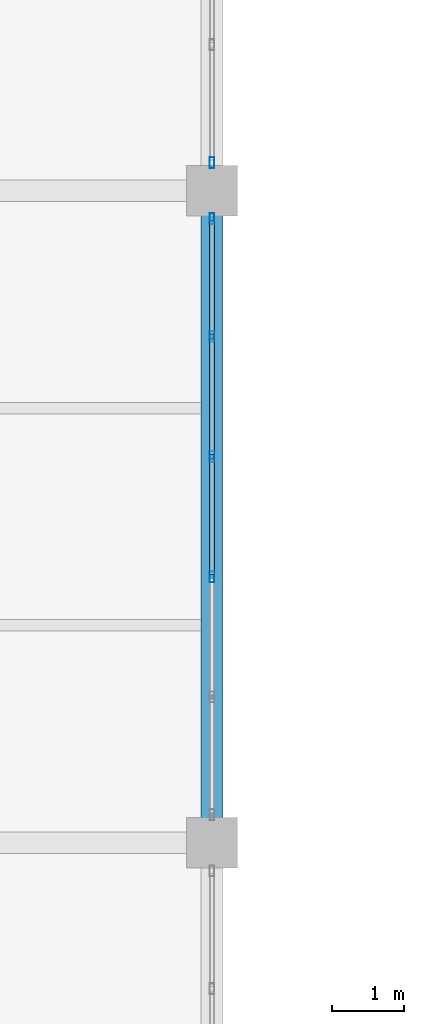
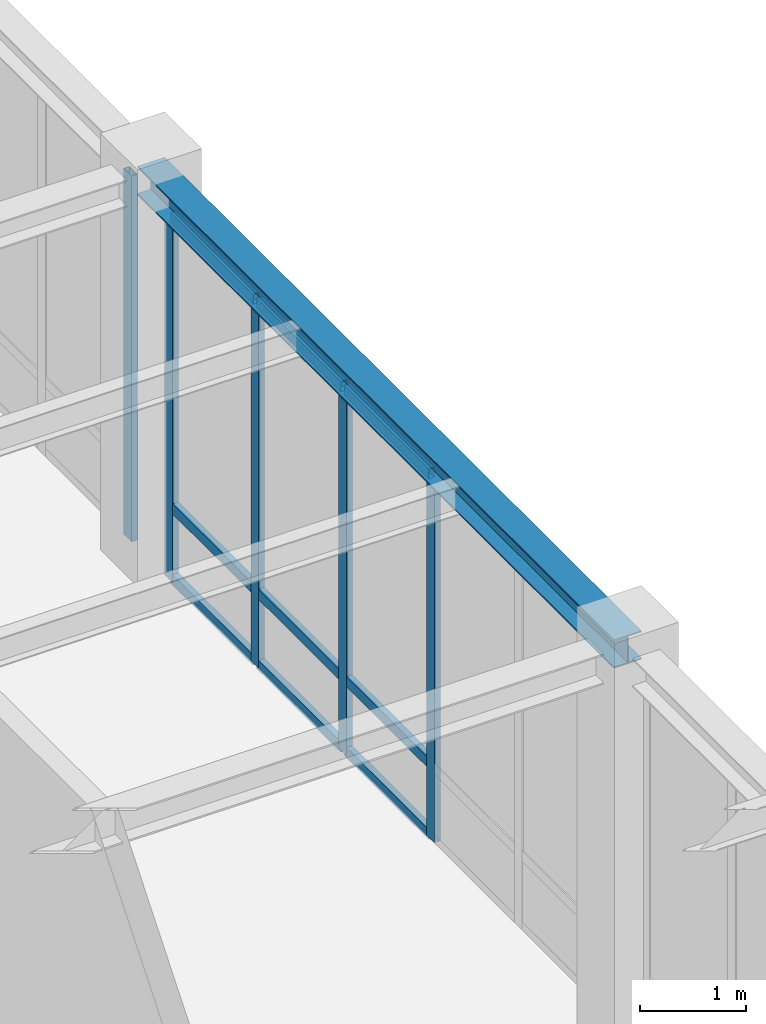
# One storey, part 38 of 98: 14 members, 1 beam, 2 elements without a shape of their own.
"""IFC4 building model written with IfcOpenShell, lengths in metres."""

from ifc_helpers import new_model, si_unit, direction, frame, origin, origin_2d, place, context, subcontext, project, spatial, hollow_rectangle, i_section, extrude, material, material_profile, profile_set, type_object, element, aggregate, save


model = new_model("IFC4")

# Units and contexts
model_context = context("Model", 3, precision=1e-05, world=origin(), true_north=direction((0.0, 1.0)))
body_context = subcontext(model_context, "Body", "Model", "MODEL_VIEW")
ifc_project = project(units=[si_unit("LENGTHUNIT", "METRE"), si_unit("AREAUNIT", "SQUARE_METRE"), si_unit("VOLUMEUNIT", "CUBIC_METRE"), si_unit("PLANEANGLEUNIT", "RADIAN"), si_unit("MASSUNIT", "GRAM", prefix="KILO")], contexts=[model_context])

# Site, building, storey
site_placement = place(None, origin())
site = spatial("IfcSite", under=ifc_project, at=site_placement, CompositionType="ELEMENT")
building_placement = place(site_placement, origin())
building = spatial("IfcBuilding", under=site, at=building_placement, Name="Lykobir Media Centre", CompositionType="ELEMENT")
storey_placement = place(building_placement, frame((0.0, 0.0, 10.199951171875)))
storey = spatial("IfcBuildingStorey", under=building, at=storey_placement, Name="L02", CompositionType="ELEMENT", Elevation=10.199951171875)

# Beam
ifc_material_1 = material(Name="Steel S355", Category="steel")
ifc_material_profile_1 = material_profile(ifc_material_1, i_section(OverallWidth=0.300048828125, OverallDepth=0.330078125, WebThickness=0.009521484375, FlangeThickness=0.0166015625, at=origin_2d()), Name="HEA 340")
ifc_profile_set_1 = profile_set([ifc_material_profile_1], Name="Steel S355")
beam_type = type_object("IfcBeamType", Name="BM-HEA340", PredefinedType="BEAM", material=ifc_profile_set_1)
beam_placement = place(storey_placement, frame((99.0, 54.0, 4.39501953125), z_axis=(0.0, 1.0, 0.0), x_axis=(-1.0, 0.0, 0.0)))
element("IfcBeam", 1, at=beam_placement, inside=storey, type_object=beam_type, Name="Beam BM-L02-0990-0540-0990-0630-1460", PredefinedType="BEAM", context=body_context, shape_type="SweptSolid", body=[
    extrude(i_section(OverallWidth=0.300048828125, OverallDepth=0.330078125, WebThickness=0.009521484375, FlangeThickness=0.0166015625, at=origin_2d()), origin(), (0.0, 0.0, 1.0), 9.0),
])

# Curtain wall, members
ifc_material_2 = material(Name="Anodized Aluminium AW-6060", Category="aluminium")
curtain_wall_type = type_object("IfcCurtainWallType", Name="CW-COURT-A", PredefinedType="NOTDEFINED", material=ifc_material_2)
curtain_wall_1_placement = place(storey_placement, origin())
curtain_wall_1 = element("IfcCurtainWall", 2, at=curtain_wall_1_placement, inside=storey, type_object=curtain_wall_type, Name="Curtain wall CW2-L02-0106", PredefinedType="NOTDEFINED")
ifc_material_profile_2 = material_profile(ifc_material_2, hollow_rectangle(XDim=0.06494140625, YDim=0.14990234375, WallThickness=0.00341796875, at=origin_2d()), Name="ALU MULLION 65x150")
ifc_profile_set_2 = profile_set([ifc_material_profile_2], Name="Anodized Aluminium AW-6060")
member_type_1 = type_object("IfcMemberType", Name="CWM-150", PredefinedType="MULLION", material=ifc_profile_set_2)
member_1_placement = place(storey_placement, frame((99.0, 62.612548828125, 0.0), z_axis=(0.0, 0.0, 1.0), x_axis=(1.0, 0.0, 0.0)))
member_1 = element("IfcMember", 3, at=member_1_placement, type_object=member_type_1, Name="CW2-L02-0106 mullion 1", PredefinedType="MULLION", context=body_context, shape_type="SweptSolid", body=[
    extrude(hollow_rectangle(XDim=0.06494140625, YDim=0.14990234375, WallThickness=0.00341796875, at=origin_2d()), origin(), (0.0, 0.0, 1.0), 4.215087890625),
])
member_2_placement = place(storey_placement, frame((99.0, 60.987060546875, 0.0), z_axis=(0.0, 0.0, 1.0), x_axis=(1.0, 0.0, 0.0)))
member_2 = element("IfcMember", 4, at=member_2_placement, type_object=member_type_1, Name="CW2-L02-0106 mullion 2", PredefinedType="MULLION", context=body_context, shape_type="SweptSolid", body=[
    extrude(hollow_rectangle(XDim=0.06494140625, YDim=0.14990234375, WallThickness=0.00341796875, at=origin_2d()), origin(), (0.0, 0.0, 1.0), 4.215087890625),
])
member_3_placement = place(storey_placement, frame((99.0, 59.3291015625, 0.0), z_axis=(0.0, 0.0, 1.0), x_axis=(1.0, 0.0, 0.0)))
member_3 = element("IfcMember", 5, at=member_3_placement, type_object=member_type_1, Name="CW2-L02-0106 mullion 3", PredefinedType="MULLION", context=body_context, shape_type="SweptSolid", body=[
    extrude(hollow_rectangle(XDim=0.06494140625, YDim=0.14990234375, WallThickness=0.00341796875, at=origin_2d()), origin(), (0.0, 0.0, 1.0), 4.215087890625),
])
member_4_placement = place(storey_placement, frame((99.0, 57.6708984375, 0.0), z_axis=(0.0, 0.0, 1.0), x_axis=(1.0, 0.0, 0.0)))
member_4 = element("IfcMember", 6, at=member_4_placement, type_object=member_type_1, Name="CW2-L02-0106 mullion 4", PredefinedType="MULLION", context=body_context, shape_type="SweptSolid", body=[
    extrude(hollow_rectangle(XDim=0.06494140625, YDim=0.14990234375, WallThickness=0.00341796875, at=origin_2d()), origin(), (0.0, 0.0, 1.0), 4.215087890625),
])

# Curtain wall, member
curtain_wall_2_placement = place(storey_placement, origin())
curtain_wall_2 = element("IfcCurtainWall", 7, at=curtain_wall_2_placement, inside=storey, type_object=curtain_wall_type, Name="Curtain wall CW2-L02-0107", PredefinedType="NOTDEFINED")
member_5_placement = place(storey_placement, frame((99.0, 63.387451171875, 0.0), z_axis=(0.0, 0.0, 1.0), x_axis=(1.0, 0.0, 0.0)))
member_5 = element("IfcMember", 8, at=member_5_placement, type_object=member_type_1, Name="CW2-L02-0107 mullion 6", PredefinedType="MULLION", context=body_context, shape_type="SweptSolid", body=[
    extrude(hollow_rectangle(XDim=0.06494140625, YDim=0.14990234375, WallThickness=0.00341796875, at=origin_2d()), origin(), (0.0, 0.0, 1.0), 4.215087890625),
])
aggregate(curtain_wall_2, [member_5])

# Member
ifc_material_profile_3 = material_profile(ifc_material_2, hollow_rectangle(XDim=0.06494140625, YDim=0.1201171875, WallThickness=0.0029296875, at=origin_2d()), Name="ALU TRANSOM 65x120")
ifc_profile_set_3 = profile_set([ifc_material_profile_3], Name="Anodized Aluminium AW-6060")
member_type_2 = type_object("IfcMemberType", Name="CWT-120", PredefinedType="USERDEFINED", material=ifc_profile_set_3)
member_6_placement = place(storey_placement, frame((99.0, 62.580078125, 0.032470703125), z_axis=(0.0, -1.0, 0.0), x_axis=(1.0, 0.0, 0.0)))
member_6 = element("IfcMember", 9, at=member_6_placement, type_object=member_type_2, Name="CW2-L02-0106 transom 1.1", ObjectType="TRANSOM", PredefinedType="USERDEFINED", context=body_context, shape_type="SweptSolid", body=[
    extrude(hollow_rectangle(XDim=0.06494140625, YDim=0.1201171875, WallThickness=0.0029296875, at=origin_2d()), origin(), (0.0, 0.0, 1.0), 1.560546875),
])

member_7_placement = place(storey_placement, frame((99.0, 62.580078125, 0.85009765625), z_axis=(0.0, -1.0, 0.0), x_axis=(1.0, 0.0, 0.0)))
member_7 = element("IfcMember", 10, at=member_7_placement, type_object=member_type_2, Name="CW2-L02-0106 transom 1.2", ObjectType="TRANSOM", PredefinedType="USERDEFINED", context=body_context, shape_type="SweptSolid", body=[
    extrude(hollow_rectangle(XDim=0.06494140625, YDim=0.1201171875, WallThickness=0.0029296875, at=origin_2d()), origin(), (0.0, 0.0, 1.0), 1.560546875),
])

member_8_placement = place(storey_placement, frame((99.0, 62.580078125, 4.1826171875), z_axis=(0.0, -1.0, 0.0), x_axis=(1.0, 0.0, 0.0)))
member_8 = element("IfcMember", 11, at=member_8_placement, type_object=member_type_2, Name="CW2-L02-0106 transom 1.3", ObjectType="TRANSOM", PredefinedType="USERDEFINED", context=body_context, shape_type="SweptSolid", body=[
    extrude(hollow_rectangle(XDim=0.06494140625, YDim=0.1201171875, WallThickness=0.0029296875, at=origin_2d()), origin(), (0.0, 0.0, 1.0), 1.560546875),
])

member_9_placement = place(storey_placement, frame((99.0, 60.95458984375, 0.032470703125), z_axis=(0.0, -1.0, 0.0), x_axis=(1.0, 0.0, 0.0)))
member_9 = element("IfcMember", 12, at=member_9_placement, type_object=member_type_2, Name="CW2-L02-0106 transom 2.1", ObjectType="TRANSOM", PredefinedType="USERDEFINED", context=body_context, shape_type="SweptSolid", body=[
    extrude(hollow_rectangle(XDim=0.06494140625, YDim=0.1201171875, WallThickness=0.0029296875, at=origin_2d()), origin(), (0.0, 0.0, 1.0), 1.593017578125),
])

member_10_placement = place(storey_placement, frame((99.0, 60.95458984375, 0.85009765625), z_axis=(0.0, -1.0, 0.0), x_axis=(1.0, 0.0, 0.0)))
member_10 = element("IfcMember", 13, at=member_10_placement, type_object=member_type_2, Name="CW2-L02-0106 transom 2.2", ObjectType="TRANSOM", PredefinedType="USERDEFINED", context=body_context, shape_type="SweptSolid", body=[
    extrude(hollow_rectangle(XDim=0.06494140625, YDim=0.1201171875, WallThickness=0.0029296875, at=origin_2d()), origin(), (0.0, 0.0, 1.0), 1.593017578125),
])

member_11_placement = place(storey_placement, frame((99.0, 60.95458984375, 4.1826171875), z_axis=(0.0, -1.0, 0.0), x_axis=(1.0, 0.0, 0.0)))
member_11 = element("IfcMember", 14, at=member_11_placement, type_object=member_type_2, Name="CW2-L02-0106 transom 2.3", ObjectType="TRANSOM", PredefinedType="USERDEFINED", context=body_context, shape_type="SweptSolid", body=[
    extrude(hollow_rectangle(XDim=0.06494140625, YDim=0.1201171875, WallThickness=0.0029296875, at=origin_2d()), origin(), (0.0, 0.0, 1.0), 1.593017578125),
])

member_12_placement = place(storey_placement, frame((99.0, 59.29638671875, 0.032470703125), z_axis=(0.0, -1.0, 0.0), x_axis=(1.0, 0.0, 0.0)))
member_12 = element("IfcMember", 15, at=member_12_placement, type_object=member_type_2, Name="CW2-L02-0106 transom 3.1", ObjectType="TRANSOM", PredefinedType="USERDEFINED", context=body_context, shape_type="SweptSolid", body=[
    extrude(hollow_rectangle(XDim=0.06494140625, YDim=0.1201171875, WallThickness=0.0029296875, at=origin_2d()), origin(), (0.0, 0.0, 1.0), 1.5927734375),
])

member_13_placement = place(storey_placement, frame((99.0, 59.29638671875, 0.85009765625), z_axis=(0.0, -1.0, 0.0), x_axis=(1.0, 0.0, 0.0)))
member_13 = element("IfcMember", 16, at=member_13_placement, type_object=member_type_2, Name="CW2-L02-0106 transom 3.2", ObjectType="TRANSOM", PredefinedType="USERDEFINED", context=body_context, shape_type="SweptSolid", body=[
    extrude(hollow_rectangle(XDim=0.06494140625, YDim=0.1201171875, WallThickness=0.0029296875, at=origin_2d()), origin(), (0.0, 0.0, 1.0), 1.5927734375),
])

member_14_placement = place(storey_placement, frame((99.0, 59.29638671875, 4.1826171875), z_axis=(0.0, -1.0, 0.0), x_axis=(1.0, 0.0, 0.0)))
member_14 = element("IfcMember", 17, at=member_14_placement, type_object=member_type_2, Name="CW2-L02-0106 transom 3.3", ObjectType="TRANSOM", PredefinedType="USERDEFINED", context=body_context, shape_type="SweptSolid", body=[
    extrude(hollow_rectangle(XDim=0.06494140625, YDim=0.1201171875, WallThickness=0.0029296875, at=origin_2d()), origin(), (0.0, 0.0, 1.0), 1.5927734375),
])

aggregate(curtain_wall_1, [member_1, member_2, member_3, member_4, member_6, member_7, member_8, member_9, member_10, member_11, member_12, member_13, member_14])

save(model, "model.ifc")
